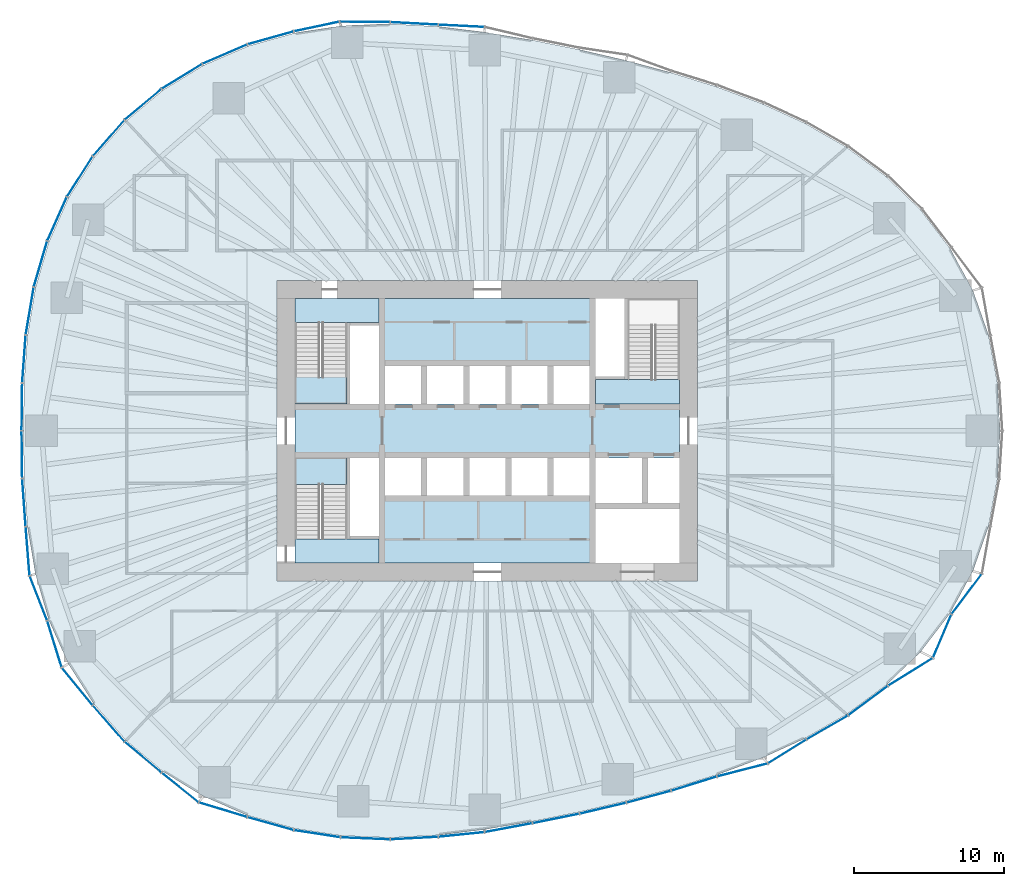
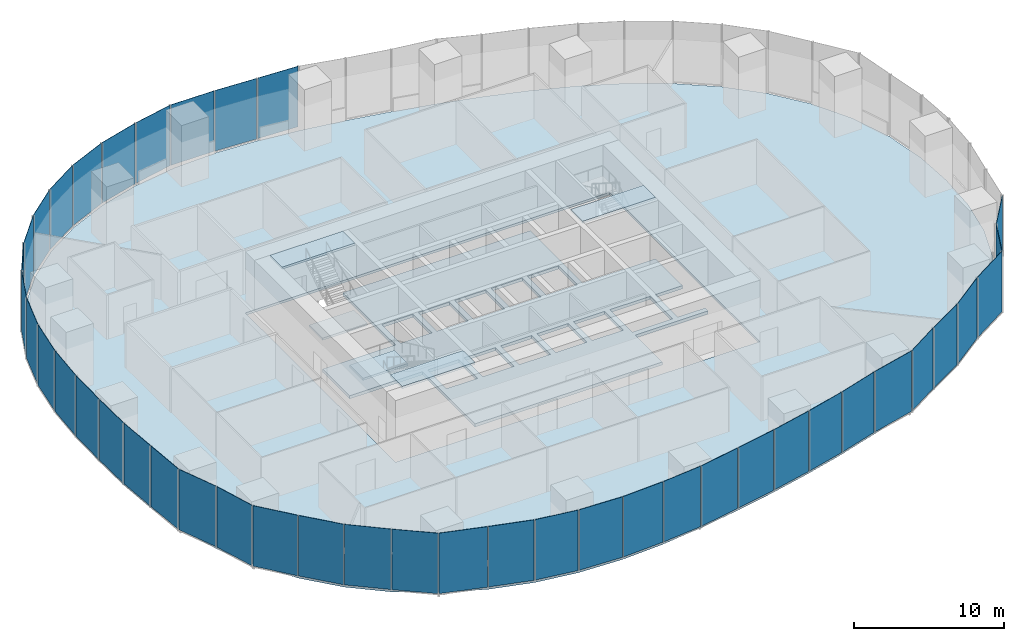
# One storey, part 8 of 20: 42 plates, 7 slabs, 17 elements without a shape of their own.
"""IFC4 building model written with IfcOpenShell, lengths in metres."""

import ifcopenshell
import ifcopenshell.guid

model = None  # the IFC model being written
_history = None  # IfcOwnerHistory: only IFC2X3 demands one
_inside = {}  # id of a spatial element -> (the spatial element, [elements in it])
_under = {}  # id of a project, library or spatial element -> (it, [spatial elements below it])
_declared = {}  # id of a project -> (the project, [libraries it declares])
_typed = {}  # id of a type object -> (the type object, [elements of that type])
_made_of = {}  # id of a material, layer set ... -> (it, [elements and type objects made of it])


def new_model(schema):
    """Start an empty IFC model of exactly this schema.

    Asked for "IFC4X3", IfcOpenShell would pick the latest addendum, in which some entities
    have other attributes; the version numbers below select the first issue.
    IFC2X3 requires an IfcOwnerHistory on every rooted entity: one is made here for all.
    """
    global model, _history
    if schema == "IFC4X3":
        model = ifcopenshell.file(schema_version=(4, 3, 0, 0))
    else:
        model = ifcopenshell.file(schema=schema)
    _inside.clear()
    _under.clear()
    _declared.clear()
    _typed.clear()
    _made_of.clear()
    _history = None
    if model.schema == "IFC2X3":
        org = make("IfcOrganization", Name="unknown")
        user = make(
            "IfcPersonAndOrganization",
            ThePerson=make("IfcPerson", FamilyName="unknown"),
            TheOrganization=org,
        )
        app = make(
            "IfcApplication",
            ApplicationDeveloper=org,
            Version="unknown",
            ApplicationFullName="unknown",
            ApplicationIdentifier="unknown",
        )
        _history = make(
            "IfcOwnerHistory",
            OwningUser=user,
            OwningApplication=app,
            ChangeAction="ADDED",
            CreationDate=0,
        )
    return model


def make(cls, **values):
    """One entity of the class cls with the attributes given. An attribute that is None is left unset."""
    return model.create_entity(
        cls, **{name: value for name, value in values.items() if value is not None}
    )


def rooted(cls, **values):
    """An entity with a GlobalId (a new one), such as an element, a storey or a relation."""
    return make(cls, GlobalId=ifcopenshell.guid.new(), OwnerHistory=_history, **values)


def si_unit(unit_type, name, prefix=None):
    """IfcSIUnit, for example si_unit("LENGTHUNIT", "METRE", prefix="MILLI")."""
    return make("IfcSIUnit", UnitType=unit_type, Prefix=prefix, Name=name)


def assignment(units):
    """IfcUnitAssignment: the units of a project."""
    return None if units is None else make("IfcUnitAssignment", Units=units)


def point(xyz):
    """IfcCartesianPoint."""
    return None if xyz is None else make("IfcCartesianPoint", Coordinates=xyz)


def direction(xyz):
    """IfcDirection."""
    return None if xyz is None else make("IfcDirection", DirectionRatios=xyz)


def frame(location, z_axis=None, x_axis=None):
    """IfcAxis2Placement3D, a coordinate frame: its origin and axes. An axis left out is left unset."""
    return make(
        "IfcAxis2Placement3D",
        Location=point(location),
        Axis=direction(z_axis),
        RefDirection=direction(x_axis),
    )


def frame_2d(location, x_axis=None):
    """IfcAxis2Placement2D, a coordinate frame in the plane: its origin and x axis."""
    return make(
        "IfcAxis2Placement2D", Location=point(location), RefDirection=direction(x_axis)
    )


def origin():
    """The frame at (0, 0, 0) with its axes left unset."""
    return frame((0.0, 0.0, 0.0))


def origin_2d():
    """The frame at (0, 0) in the plane with its x axis left unset."""
    return frame_2d((0.0, 0.0))


def place(relative_to, where):
    """IfcLocalPlacement: puts the frame where relative to a parent placement (None: the world)."""
    return make(
        "IfcLocalPlacement", PlacementRelTo=relative_to, RelativePlacement=where
    )


def context(
    kind, dimensions, precision=None, world=None, true_north=None, identifier=None
):
    """IfcGeometricRepresentationContext, for example the 3D "Model" context."""
    return make(
        "IfcGeometricRepresentationContext",
        ContextIdentifier=identifier,
        ContextType=kind,
        CoordinateSpaceDimension=dimensions,
        Precision=precision,
        WorldCoordinateSystem=world,
        TrueNorth=true_north,
    )


def subcontext(parent, identifier, kind, view, scale=None):
    """IfcGeometricRepresentationSubContext, for example "Body" below "Model"."""
    return make(
        "IfcGeometricRepresentationSubContext",
        ContextIdentifier=identifier,
        ContextType=kind,
        ParentContext=parent,
        TargetScale=scale,
        TargetView=view,
    )


def project(units=None, contexts=None):
    """IfcProject with its units and contexts."""
    return rooted(
        "IfcProject",
        Name="project",
        RepresentationContexts=contexts,
        UnitsInContext=assignment(units),
    )


def spatial(cls, under=None, at=None, **own):
    """A site, building, storey or space (cls), placed at a placement, below another one or the project."""
    s = rooted(cls, ObjectPlacement=at, **own)
    if under is not None:
        _under.setdefault(under.id(), (under, []))[1].append(s)
    return s


def polyline(points):
    """IfcPolyline through the points."""
    return make("IfcPolyline", Points=[point(p) for p in points])


def profile(cls, at=None, kind="AREA", **sizes):
    """A parametric profile (cls). Its sizes go by their IFC names, for example OverallWidth=200.0."""
    return make(cls, ProfileType=kind, Position=at, **sizes)


def rectangle(**sizes):
    """IfcRectangleProfileDef."""
    return profile("IfcRectangleProfileDef", **sizes)


def outline(outer, holes=None, kind="AREA"):
    """IfcArbitraryClosedProfileDef: a profile drawn as a closed curve; with holes, ...WithVoids."""
    if holes is None:
        return make("IfcArbitraryClosedProfileDef", ProfileType=kind, OuterCurve=outer)
    return make(
        "IfcArbitraryProfileDefWithVoids",
        ProfileType=kind,
        OuterCurve=outer,
        InnerCurves=holes,
    )


def extrude(swept, where, along, depth):
    """IfcExtrudedAreaSolid: the profile swept, set in the frame where, extruded along a direction by depth."""
    return make(
        "IfcExtrudedAreaSolid",
        SweptArea=swept,
        Position=where,
        ExtrudedDirection=direction(along),
        Depth=depth,
    )


def shape(context_of_items, identifier, shape_type, items):
    """IfcShapeRepresentation: the items that make up one representation, for example the "Body"."""
    return make(
        "IfcShapeRepresentation",
        ContextOfItems=context_of_items,
        RepresentationIdentifier=identifier,
        RepresentationType=shape_type,
        Items=items,
    )


def material(Name=None, Category=None):
    """IfcMaterial."""
    return make("IfcMaterial", Name=Name, Category=Category)


def layer(
    of_material, thickness, ventilated=None, Name=None, Category=None, Priority=None
):
    """IfcMaterialLayer: one layer of a wall or slab, of a material (None: an air gap)."""
    return make(
        "IfcMaterialLayer",
        Material=of_material,
        LayerThickness=thickness,
        IsVentilated=ventilated,
        Name=Name,
        Category=Category,
        Priority=Priority,
    )


def layer_set(layers, Name=None):
    """IfcMaterialLayerSet."""
    return make("IfcMaterialLayerSet", MaterialLayers=layers, LayerSetName=Name)


def made_of(thing, what):
    """Note that an element or type object is made of a material, layer set ...; save() writes the relation."""
    if what is not None:
        _made_of.setdefault(what.id(), (what, []))[1].append(thing)
    return thing


def type_object(cls, material=None, **own):
    """A type object (cls), such as IfcWallType, which elements share."""
    return made_of(rooted(cls, **own), material)


def element(
    cls,
    number,
    at=None,
    inside=None,
    cuts=None,
    type_object=None,
    material=None,
    context=None,
    identifier="Body",
    shape_type=None,
    held_by="IfcProductDefinitionShape",
    body=None,
    shapes=None,
    **own,
):
    """One element of the class cls, such as IfcWall. Its Tag is "e" and its number.

    at: its placement. inside: the storey or other place that contains it. cuts: it is an
    opening in that element (IfcRelVoidsElement). A single representation is given by context,
    identifier, shape_type and body (its items); several are given by shapes. held_by: the class
    of the entity that holds the representations. save() writes the other relations.
    """
    e = rooted(cls, Tag="e%d" % number, ObjectPlacement=at, **own)
    if body is not None:
        shapes = [shape(context, identifier, shape_type, body)]
    if shapes is not None:
        e.Representation = make(held_by, Representations=shapes)
    if inside is not None:
        _inside.setdefault(inside.id(), (inside, []))[1].append(e)
    if cuts is not None:
        rooted(
            "IfcRelVoidsElement", RelatingBuildingElement=cuts, RelatedOpeningElement=e
        )
    if type_object is not None:
        _typed.setdefault(type_object.id(), (type_object, []))[1].append(e)
    return made_of(e, material)


def aggregate(whole, parts):
    """IfcRelAggregates: a whole, such as a stair, and the parts it consists of."""
    return rooted("IfcRelAggregates", RelatingObject=whole, RelatedObjects=parts)


def save(model, path):
    """Write the relations noted so far, then the file.

    IfcRelAggregates (storeys below a building ...), IfcRelContainedInSpatialStructure (elements
    in a storey), IfcRelDefinesByType, IfcRelAssociatesMaterial and IfcRelDeclares: one each for
    every whole, place, type object, material and project.
    """
    for whole, parts in _under.values():
        aggregate(whole, parts)
    for where, things in _inside.values():
        rooted(
            "IfcRelContainedInSpatialStructure",
            RelatedElements=things,
            RelatingStructure=where,
        )
    for kind, things in _typed.values():
        rooted("IfcRelDefinesByType", RelatedObjects=things, RelatingType=kind)
    for what, things in _made_of.values():
        rooted("IfcRelAssociatesMaterial", RelatedObjects=things, RelatingMaterial=what)
    for by, libraries in _declared.values():
        rooted("IfcRelDeclares", RelatingContext=by, RelatedDefinitions=libraries)
    model.write(path)


model = new_model("IFC4")

# Units and contexts
model_context = context("Model", 3, precision=1e-05, world=origin(), true_north=direction((0.0, 1.0)))
body_context = subcontext(model_context, "Body", "Model", "MODEL_VIEW")
ifc_project = project(units=[si_unit("LENGTHUNIT", "METRE"), si_unit("AREAUNIT", "SQUARE_METRE"), si_unit("VOLUMEUNIT", "CUBIC_METRE"), si_unit("PLANEANGLEUNIT", "RADIAN"), si_unit("MASSUNIT", "GRAM", prefix="KILO")], contexts=[model_context])

# Site, building, storey
site_placement = place(None, origin())
site = spatial("IfcSite", under=ifc_project, at=site_placement, CompositionType="ELEMENT")
building_placement = place(site_placement, origin())
building = spatial("IfcBuilding", under=site, at=building_placement, Name="Ghaith Harvest Tower", CompositionType="ELEMENT")
storey_placement = place(building_placement, frame((0.0, 0.0, 45.0)))
storey = spatial("IfcBuildingStorey", under=building, at=storey_placement, Name="L09", CompositionType="ELEMENT", Elevation=45.0)

# Curtain wall, plates
ifc_material_1 = material(Name="Black anodised aluminium and fritted glass", Category="aluminium")
curtain_wall_type = type_object("IfcCurtainWallType", Name="CW-F CURTAIN WALL", PredefinedType="NOTDEFINED", material=ifc_material_1)
curtain_wall_1_placement = place(storey_placement, origin())
curtain_wall_1 = element("IfcCurtainWall", 1, at=curtain_wall_1_placement, inside=storey, type_object=curtain_wall_type, Name="Curtain wall CW-F bay 06 L09", PredefinedType="NOTDEFINED")
ifc_material_2 = material(Name="Glass, high-transmission fritted double glazed unit", Category="glass")
ifc_layer_1 = layer(ifc_material_2, 0.028076171875)
ifc_layer_set_1 = layer_set([ifc_layer_1], Name="CW-F VISION PANEL")
plate_type = type_object("IfcPlateType", Name="CW-F VISION PANEL", PredefinedType="CURTAIN_PANEL", material=ifc_layer_set_1)
plate_1_placement = place(storey_placement, frame((-1.722900390625, 26.953369140625, 0.080078125), z_axis=(0.0, 0.0, 1.0), x_axis=(-0.998771443485, 0.049554048048, 0.0)))
plate_1 = element("IfcPlate", 2, at=plate_1_placement, type_object=plate_type, Name="CW-F panel 1 bay 06 L09", PredefinedType="CURTAIN_PANEL", context=body_context, shape_type="SweptSolid", body=[
    extrude(rectangle(XDim=3.001708984375, YDim=0.028076171875, at=origin_2d()), origin(), (0.0, 0.0, 1.0), 4.919921875),
])
plate_2_placement = place(storey_placement, frame((-4.863525390625, 27.11572265625, 0.080078125), z_axis=(0.0, 0.0, 1.0), x_axis=(-0.99856250263, 0.053599704667, 0.0)))
plate_2 = element("IfcPlate", 3, at=plate_2_placement, type_object=plate_type, Name="CW-F panel 2 bay 06 L09", PredefinedType="CURTAIN_PANEL", context=body_context, shape_type="SweptSolid", body=[
    extrude(rectangle(XDim=3.1279296875, YDim=0.028076171875, at=origin_2d()), origin(), (0.0, 0.0, 1.0), 4.919921875),
])
plate_3_placement = place(storey_placement, frame((-8.150390625, 27.217041015625, 0.080078125), z_axis=(0.0, 0.0, 1.0), x_axis=(-0.999959609481, 0.008987736446, 0.0)))
plate_3 = element("IfcPlate", 4, at=plate_3_placement, type_object=plate_type, Name="CW-F panel 3 bay 06 L09", PredefinedType="CURTAIN_PANEL", context=body_context, shape_type="SweptSolid", body=[
    extrude(rectangle(XDim=3.29052734375, YDim=0.028076171875, at=origin_2d()), origin(), (0.0, 0.0, 1.0), 4.919921875),
])
aggregate(curtain_wall_1, [plate_1, plate_2, plate_3])

curtain_wall_2_placement = place(storey_placement, origin())
curtain_wall_2 = element("IfcCurtainWall", 5, at=curtain_wall_2_placement, inside=storey, type_object=curtain_wall_type, Name="Curtain wall CW-F bay 07 L09", PredefinedType="NOTDEFINED")
plate_4_placement = place(storey_placement, frame((-11.358154296875, 26.908447265625, 0.080078125), z_axis=(0.0, 0.0, 1.0), x_axis=(-0.978149320779, -0.207903598476, 0.0)))
plate_4 = element("IfcPlate", 6, at=plate_4_placement, type_object=plate_type, Name="CW-F panel 1 bay 07 L09", PredefinedType="CURTAIN_PANEL", context=body_context, shape_type="SweptSolid", body=[
    extrude(rectangle(XDim=3.032958984375, YDim=0.028076171875, at=origin_2d()), origin(), (0.0, 0.0, 1.0), 4.919921875),
])
plate_5_placement = place(storey_placement, frame((-14.42578125, 26.150634765625, 0.080078125), z_axis=(0.0, 0.0, 1.0), x_axis=(-0.96272968243, -0.270465448012, 0.0)))
plate_5 = element("IfcPlate", 7, at=plate_5_placement, type_object=plate_type, Name="CW-F panel 2 bay 07 L09", PredefinedType="CURTAIN_PANEL", context=body_context, shape_type="SweptSolid", body=[
    extrude(rectangle(XDim=3.13037109375, YDim=0.028076171875, at=origin_2d()), origin(), (0.0, 0.0, 1.0), 4.919921875),
])
plate_6_placement = place(storey_placement, frame((-17.46923828125, 25.0693359375, 0.080078125), z_axis=(0.0, 0.0, 1.0), x_axis=(-0.918002845228, -0.396573796605, 0.0)))
plate_6 = element("IfcPlate", 8, at=plate_6_placement, type_object=plate_type, Name="CW-F panel 3 bay 07 L09", PredefinedType="CURTAIN_PANEL", context=body_context, shape_type="SweptSolid", body=[
    extrude(rectangle(XDim=3.18359375, YDim=0.028076171875, at=origin_2d()), origin(), (0.0, 0.0, 1.0), 4.919921875),
])
aggregate(curtain_wall_2, [plate_4, plate_5, plate_6])

curtain_wall_3_placement = place(storey_placement, origin())
curtain_wall_3 = element("IfcCurtainWall", 9, at=curtain_wall_3_placement, inside=storey, type_object=curtain_wall_type, Name="Curtain wall CW-F bay 08 L09", PredefinedType="NOTDEFINED")
plate_7_placement = place(storey_placement, frame((-20.324462890625, 23.590087890625, 0.080078125), z_axis=(0.0, 0.0, 1.0), x_axis=(-0.852527741552, -0.522681977769, 0.0)))
plate_7 = element("IfcPlate", 10, at=plate_7_placement, type_object=plate_type, Name="CW-F panel 1 bay 08 L09", PredefinedType="CURTAIN_PANEL", context=body_context, shape_type="SweptSolid", body=[
    extrude(rectangle(XDim=3.10400390625, YDim=0.028076171875, at=origin_2d()), origin(), (0.0, 0.0, 1.0), 4.919921875),
])
plate_8_placement = place(storey_placement, frame((-22.91064453125, 21.727294921875, 0.080078125), z_axis=(0.0, 0.0, 1.0), x_axis=(-0.766155215147, -0.642655573619, 0.0)))
plate_8 = element("IfcPlate", 11, at=plate_8_placement, type_object=plate_type, Name="CW-F panel 2 bay 08 L09", PredefinedType="CURTAIN_PANEL", context=body_context, shape_type="SweptSolid", body=[
    extrude(rectangle(XDim=3.1279296875, YDim=0.028076171875, at=origin_2d()), origin(), (0.0, 0.0, 1.0), 4.919921875),
])
plate_9_placement = place(storey_placement, frame((-25.201171875, 19.4853515625, 0.080078125), z_axis=(0.0, 0.0, 1.0), x_axis=(-0.659215937547, -0.751953687194, 0.0)))
plate_9 = element("IfcPlate", 12, at=plate_9_placement, type_object=plate_type, Name="CW-F panel 3 bay 08 L09", PredefinedType="CURTAIN_PANEL", context=body_context, shape_type="SweptSolid", body=[
    extrude(rectangle(XDim=3.1416015625, YDim=0.028076171875, at=origin_2d()), origin(), (0.0, 0.0, 1.0), 4.919921875),
])
aggregate(curtain_wall_3, [plate_7, plate_8, plate_9])

curtain_wall_4_placement = place(storey_placement, origin())
curtain_wall_4 = element("IfcCurtainWall", 13, at=curtain_wall_4_placement, inside=storey, type_object=curtain_wall_type, Name="Curtain wall CW-F bay 09 L09", PredefinedType="NOTDEFINED")
plate_10_placement = place(storey_placement, frame((-27.124755859375, 16.919677734375, 0.080078125), z_axis=(0.0, 0.0, 1.0), x_axis=(-0.536779195227, -0.843722759899, 0.0)))
plate_10 = element("IfcPlate", 14, at=plate_10_placement, type_object=plate_type, Name="CW-F panel 1 bay 09 L09", PredefinedType="CURTAIN_PANEL", context=body_context, shape_type="SweptSolid", body=[
    extrude(rectangle(XDim=3.13037109375, YDim=0.028076171875, at=origin_2d()), origin(), (0.0, 0.0, 1.0), 4.919921875),
])
plate_11_placement = place(storey_placement, frame((-28.639404296875, 14.100341796875, 0.080078125), z_axis=(0.0, 0.0, 1.0), x_axis=(-0.407134417018, -0.913368253488, 0.0)))
plate_11 = element("IfcPlate", 15, at=plate_11_placement, type_object=plate_type, Name="CW-F panel 2 bay 09 L09", PredefinedType="CURTAIN_PANEL", context=body_context, shape_type="SweptSolid", body=[
    extrude(rectangle(XDim=3.1279296875, YDim=0.028076171875, at=origin_2d()), origin(), (0.0, 0.0, 1.0), 4.919921875),
])
plate_12_placement = place(storey_placement, frame((-29.740478515625, 11.101318359375, 0.080078125), z_axis=(0.0, 0.0, 1.0), x_axis=(-0.280296918708, -0.959913348882, 0.0)))
plate_12 = element("IfcPlate", 16, at=plate_12_placement, type_object=plate_type, Name="CW-F panel 3 bay 09 L09", PredefinedType="CURTAIN_PANEL", context=body_context, shape_type="SweptSolid", body=[
    extrude(rectangle(XDim=3.1162109375, YDim=0.028076171875, at=origin_2d()), origin(), (0.0, 0.0, 1.0), 4.919921875),
])
aggregate(curtain_wall_4, [plate_10, plate_11, plate_12])

curtain_wall_5_placement = place(storey_placement, origin())
curtain_wall_5 = element("IfcCurtainWall", 17, at=curtain_wall_5_placement, inside=storey, type_object=curtain_wall_type, Name="Curtain wall CW-F bay 10 L09", PredefinedType="NOTDEFINED")
plate_13_placement = place(storey_placement, frame((-30.456298828125, 7.971435546875, 0.080078125), z_axis=(0.0, 0.0, 1.0), x_axis=(-0.165581316368, -0.986196140567, 0.0)))
plate_13 = element("IfcPlate", 18, at=plate_13_placement, type_object=plate_type, Name="CW-F panel 1 bay 10 L09", PredefinedType="CURTAIN_PANEL", context=body_context, shape_type="SweptSolid", body=[
    extrude(rectangle(XDim=3.156494140625, YDim=0.028076171875, at=origin_2d()), origin(), (0.0, 0.0, 1.0), 4.919921875),
])
plate_14_placement = place(storey_placement, frame((-30.84033203125, 4.77685546875, 0.080078125), z_axis=(0.0, 0.0, 1.0), x_axis=(-0.072420546123, -0.997374184797, 0.0)))
plate_14 = element("IfcPlate", 19, at=plate_14_placement, type_object=plate_type, Name="CW-F panel 2 bay 10 L09", PredefinedType="CURTAIN_PANEL", context=body_context, shape_type="SweptSolid", body=[
    extrude(rectangle(XDim=3.1259765625, YDim=0.028076171875, at=origin_2d()), origin(), (0.0, 0.0, 1.0), 4.919921875),
])
plate_15_placement = place(storey_placement, frame((-30.975830078125, 1.589111328125, 0.080078125), z_axis=(0.0, 0.0, 1.0), x_axis=(-0.012133206476, -0.999926389941, 0.0)))
plate_15 = element("IfcPlate", 20, at=plate_15_placement, type_object=plate_type, Name="CW-F panel 3 bay 10 L09", PredefinedType="CURTAIN_PANEL", context=body_context, shape_type="SweptSolid", body=[
    extrude(rectangle(XDim=3.09814453125, YDim=0.028076171875, at=origin_2d()), origin(), (0.0, 0.0, 1.0), 4.919921875),
])
aggregate(curtain_wall_5, [plate_13, plate_14, plate_15])

curtain_wall_6_placement = place(storey_placement, origin())
curtain_wall_6 = element("IfcCurtainWall", 21, at=curtain_wall_6_placement, inside=storey, type_object=curtain_wall_type, Name="Curtain wall CW-F bay 11 L09", PredefinedType="NOTDEFINED")
plate_16_placement = place(storey_placement, frame((-30.975830078125, -1.589111328125, 0.080078125), z_axis=(0.0, 0.0, 1.0), x_axis=(0.012133206773, -0.999926389937, 0.0)))
plate_16 = element("IfcPlate", 22, at=plate_16_placement, type_object=plate_type, Name="CW-F panel 1 bay 11 L09", PredefinedType="CURTAIN_PANEL", context=body_context, shape_type="SweptSolid", body=[
    extrude(rectangle(XDim=3.09814453125, YDim=0.028076171875, at=origin_2d()), origin(), (0.0, 0.0, 1.0), 4.919921875),
])
plate_17_placement = place(storey_placement, frame((-30.84033203125, -4.77685546875, 0.080078125), z_axis=(0.0, 0.0, 1.0), x_axis=(0.072420546349, -0.99737418478, 0.0)))
plate_17 = element("IfcPlate", 23, at=plate_17_placement, type_object=plate_type, Name="CW-F panel 2 bay 11 L09", PredefinedType="CURTAIN_PANEL", context=body_context, shape_type="SweptSolid", body=[
    extrude(rectangle(XDim=3.1259765625, YDim=0.028076171875, at=origin_2d()), origin(), (0.0, 0.0, 1.0), 4.919921875),
])
plate_18_placement = place(storey_placement, frame((-30.594482421875, -8.01513671875, 0.080078125), z_axis=(0.0, 0.0, 1.0), x_axis=(0.078867084181, -0.996885140341, 0.0)))
plate_18 = element("IfcPlate", 24, at=plate_18_placement, type_object=plate_type, Name="CW-F panel 3 bay 11 L09", PredefinedType="CURTAIN_PANEL", context=body_context, shape_type="SweptSolid", body=[
    extrude(rectangle(XDim=3.209716796875, YDim=0.028076171875, at=origin_2d()), origin(), (0.0, 0.0, 1.0), 4.919921875),
])
aggregate(curtain_wall_6, [plate_16, plate_17, plate_18])

curtain_wall_7_placement = place(storey_placement, origin())
curtain_wall_7 = element("IfcCurtainWall", 25, at=curtain_wall_7_placement, inside=storey, type_object=curtain_wall_type, Name="Curtain wall CW-F bay 12 L09", PredefinedType="NOTDEFINED")
plate_19_placement = place(storey_placement, frame((-29.878662109375, -11.14501953125, 0.080078125), z_axis=(0.0, 0.0, 1.0), x_axis=(0.366039738151, -0.930599220983, 0.0)))
plate_19 = element("IfcPlate", 26, at=plate_19_placement, type_object=plate_type, Name="CW-F panel 1 bay 12 L09", PredefinedType="CURTAIN_PANEL", context=body_context, shape_type="SweptSolid", body=[
    extrude(rectangle(XDim=3.122802734375, YDim=0.028076171875, at=origin_2d()), origin(), (0.0, 0.0, 1.0), 4.919921875),
])
plate_20_placement = place(storey_placement, frame((-28.809814453125, -14.195068359375, 0.080078125), z_axis=(0.0, 0.0, 1.0), x_axis=(0.295583054454, -0.95531704576, 0.0)))
plate_20 = element("IfcPlate", 27, at=plate_20_placement, type_object=plate_type, Name="CW-F panel 2 bay 12 L09", PredefinedType="CURTAIN_PANEL", context=body_context, shape_type="SweptSolid", body=[
    extrude(rectangle(XDim=3.185546875, YDim=0.028076171875, at=origin_2d()), origin(), (0.0, 0.0, 1.0), 4.919921875),
])
plate_21_placement = place(storey_placement, frame((-27.295166015625, -17.014404296875, 0.080078125), z_axis=(0.0, 0.0, 1.0), x_axis=(0.633789860881, -0.773505276158, 0.0)))
plate_21 = element("IfcPlate", 28, at=plate_21_placement, type_object=plate_type, Name="CW-F panel 3 bay 12 L09", PredefinedType="CURTAIN_PANEL", context=body_context, shape_type="SweptSolid", body=[
    extrude(rectangle(XDim=3.1767578125, YDim=0.028076171875, at=origin_2d()), origin(), (0.0, 0.0, 1.0), 4.919921875),
])
aggregate(curtain_wall_7, [plate_19, plate_20, plate_21])

curtain_wall_8_placement = place(storey_placement, origin())
curtain_wall_8 = element("IfcCurtainWall", 29, at=curtain_wall_8_placement, inside=storey, type_object=curtain_wall_type, Name="Curtain wall CW-F bay 13 L09", PredefinedType="NOTDEFINED")
plate_22_placement = place(storey_placement, frame((-25.201171875, -19.4853515625, 0.080078125), z_axis=(0.0, 0.0, 1.0), x_axis=(0.659215937337, -0.751953687378, 0.0)))
plate_22 = element("IfcPlate", 30, at=plate_22_placement, type_object=plate_type, Name="CW-F panel 1 bay 13 L09", PredefinedType="CURTAIN_PANEL", context=body_context, shape_type="SweptSolid", body=[
    extrude(rectangle(XDim=3.1416015625, YDim=0.028076171875, at=origin_2d()), origin(), (0.0, 0.0, 1.0), 4.919921875),
])
plate_23_placement = place(storey_placement, frame((-22.91064453125, -21.727294921875, 0.080078125), z_axis=(0.0, 0.0, 1.0), x_axis=(0.76615521545, -0.642655573258, 0.0)))
plate_23 = element("IfcPlate", 31, at=plate_23_placement, type_object=plate_type, Name="CW-F panel 2 bay 13 L09", PredefinedType="CURTAIN_PANEL", context=body_context, shape_type="SweptSolid", body=[
    extrude(rectangle(XDim=3.1279296875, YDim=0.028076171875, at=origin_2d()), origin(), (0.0, 0.0, 1.0), 4.919921875),
])
plate_24_placement = place(storey_placement, frame((-20.447265625, -23.748046875, 0.080078125), z_axis=(0.0, 0.0, 1.0), x_axis=(0.780122054158, -0.625627349639, 0.0)))
plate_24 = element("IfcPlate", 32, at=plate_24_placement, type_object=plate_type, Name="CW-F panel 3 bay 13 L09", PredefinedType="CURTAIN_PANEL", context=body_context, shape_type="SweptSolid", body=[
    extrude(rectangle(XDim=3.085205078125, YDim=0.028076171875, at=origin_2d()), origin(), (0.0, 0.0, 1.0), 4.919921875),
])
aggregate(curtain_wall_8, [plate_22, plate_23, plate_24])

curtain_wall_9_placement = place(storey_placement, origin())
curtain_wall_9 = element("IfcCurtainWall", 33, at=curtain_wall_9_placement, inside=storey, type_object=curtain_wall_type, Name="Curtain wall CW-F bay 14 L09", PredefinedType="NOTDEFINED")
plate_25_placement = place(storey_placement, frame((-17.591796875, -25.227294921875, 0.080078125), z_axis=(0.0, 0.0, 1.0), x_axis=(0.95734234218, -0.288956121011, 0.0)))
plate_25 = element("IfcPlate", 34, at=plate_25_placement, type_object=plate_type, Name="CW-F panel 1 bay 14 L09", PredefinedType="CURTAIN_PANEL", context=body_context, shape_type="SweptSolid", body=[
    extrude(rectangle(XDim=3.3056640625, YDim=0.028076171875, at=origin_2d()), origin(), (0.0, 0.0, 1.0), 4.919921875),
])
plate_26_placement = place(storey_placement, frame((-14.42578125, -26.150634765625, 0.080078125), z_axis=(0.0, 0.0, 1.0), x_axis=(0.962729682704, -0.270465447038, 0.0)))
plate_26 = element("IfcPlate", 35, at=plate_26_placement, type_object=plate_type, Name="CW-F panel 2 bay 14 L09", PredefinedType="CURTAIN_PANEL", context=body_context, shape_type="SweptSolid", body=[
    extrude(rectangle(XDim=3.13037109375, YDim=0.028076171875, at=origin_2d()), origin(), (0.0, 0.0, 1.0), 4.919921875),
])
plate_27_placement = place(storey_placement, frame((-11.327392578125, -26.82373046875, 0.080078125), z_axis=(0.0, 0.0, 1.0), x_axis=(0.98836987371, -0.152069039392, 0.0)))
plate_27 = element("IfcPlate", 36, at=plate_27_placement, type_object=plate_type, Name="CW-F panel 3 bay 14 L09", PredefinedType="CURTAIN_PANEL", context=body_context, shape_type="SweptSolid", body=[
    extrude(rectangle(XDim=3.0625, YDim=0.028076171875, at=origin_2d()), origin(), (0.0, 0.0, 1.0), 4.919921875),
])
aggregate(curtain_wall_9, [plate_25, plate_26, plate_27])

curtain_wall_10_placement = place(storey_placement, origin())
curtain_wall_10 = element("IfcCurtainWall", 37, at=curtain_wall_10_placement, inside=storey, type_object=curtain_wall_type, Name="Curtain wall CW-F bay 15 L09", PredefinedType="NOTDEFINED")
plate_28_placement = place(storey_placement, frame((-8.119873046875, -27.13232421875, 0.080078125), z_axis=(0.0, 0.0, 1.0), x_axis=(0.999118988518, -0.041967210794, 0.0)))
plate_28 = element("IfcPlate", 38, at=plate_28_placement, type_object=plate_type, Name="CW-F panel 1 bay 15 L09", PredefinedType="CURTAIN_PANEL", context=body_context, shape_type="SweptSolid", body=[
    extrude(rectangle(XDim=3.232177734375, YDim=0.028076171875, at=origin_2d()), origin(), (0.0, 0.0, 1.0), 4.919921875),
])
plate_29_placement = place(storey_placement, frame((-4.863525390625, -27.11572265625, 0.080078125), z_axis=(0.0, 0.0, 1.0), x_axis=(0.998562502616, 0.053599704928, 0.0)))
plate_29 = element("IfcPlate", 39, at=plate_29_placement, type_object=plate_type, Name="CW-F panel 2 bay 15 L09", PredefinedType="CURTAIN_PANEL", context=body_context, shape_type="SweptSolid", body=[
    extrude(rectangle(XDim=3.1279296875, YDim=0.028076171875, at=origin_2d()), origin(), (0.0, 0.0, 1.0), 4.919921875),
])
plate_30_placement = place(storey_placement, frame((-1.722412109375, -26.87353515625, 0.080078125), z_axis=(0.0, 0.0, 1.0), x_axis=(0.99488222177, 0.101041401443, 0.0)))
plate_30 = element("IfcPlate", 40, at=plate_30_placement, type_object=plate_type, Name="CW-F panel 3 bay 15 L09", PredefinedType="CURTAIN_PANEL", context=body_context, shape_type="SweptSolid", body=[
    extrude(rectangle(XDim=3.014892578125, YDim=0.028076171875, at=origin_2d()), origin(), (0.0, 0.0, 1.0), 4.919921875),
])
aggregate(curtain_wall_10, [plate_28, plate_29, plate_30])

curtain_wall_11_placement = place(storey_placement, origin())
curtain_wall_11 = element("IfcCurtainWall", 41, at=curtain_wall_11_placement, inside=storey, type_object=curtain_wall_type, Name="Curtain wall CW-F bay 16 L09", PredefinedType="NOTDEFINED")
plate_31_placement = place(storey_placement, frame((1.4130859375, -26.420166015625, 0.080078125), z_axis=(0.0, 0.0, 1.0), x_axis=(0.983131230266, 0.182901569365, 0.0)))
plate_31 = element("IfcPlate", 42, at=plate_31_placement, type_object=plate_type, Name="CW-F panel 1 bay 16 L09", PredefinedType="CURTAIN_PANEL", context=body_context, shape_type="SweptSolid", body=[
    extrude(rectangle(XDim=3.166748046875, YDim=0.028076171875, at=origin_2d()), origin(), (0.0, 0.0, 1.0), 4.919921875),
])
plate_32_placement = place(storey_placement, frame((4.5732421875, -25.809326171875, 0.080078125), z_axis=(0.0, 0.0, 1.0), x_axis=(0.98043234808, 0.196856320293, 0.0)))
plate_32 = element("IfcPlate", 43, at=plate_32_placement, type_object=plate_type, Name="CW-F panel 2 bay 16 L09", PredefinedType="CURTAIN_PANEL", context=body_context, shape_type="SweptSolid", body=[
    extrude(rectangle(XDim=3.1103515625, YDim=0.028076171875, at=origin_2d()), origin(), (0.0, 0.0, 1.0), 4.919921875),
])
plate_33_placement = place(storey_placement, frame((7.697265625, -25.129150390625, 0.080078125), z_axis=(0.0, 0.0, 1.0), x_axis=(0.973564757908, 0.228411169079, 0.0)))
plate_33 = element("IfcPlate", 44, at=plate_33_placement, type_object=plate_type, Name="CW-F panel 3 bay 16 L09", PredefinedType="CURTAIN_PANEL", context=body_context, shape_type="SweptSolid", body=[
    extrude(rectangle(XDim=3.125, YDim=0.028076171875, at=origin_2d()), origin(), (0.0, 0.0, 1.0), 4.919921875),
])
aggregate(curtain_wall_11, [plate_31, plate_32, plate_33])

curtain_wall_12_placement = place(storey_placement, origin())
curtain_wall_12 = element("IfcCurtainWall", 45, at=curtain_wall_12_placement, inside=storey, type_object=curtain_wall_type, Name="Curtain wall CW-F bay 17 L09", PredefinedType="NOTDEFINED")
plate_34_placement = place(storey_placement, frame((10.745849609375, -24.36376953125, 0.080078125), z_axis=(0.0, 0.0, 1.0), x_axis=(0.965848435029, 0.259107700681, 0.0)))
plate_34 = element("IfcPlate", 46, at=plate_34_placement, type_object=plate_type, Name="CW-F panel 1 bay 17 L09", PredefinedType="CURTAIN_PANEL", context=body_context, shape_type="SweptSolid", body=[
    extrude(rectangle(XDim=3.002197265625, YDim=0.028076171875, at=origin_2d()), origin(), (0.0, 0.0, 1.0), 4.919921875),
])
plate_35_placement = place(storey_placement, frame((13.760986328125, -23.490234375, 0.080078125), z_axis=(0.0, 0.0, 1.0), x_axis=(0.954988265447, 0.296643578827, 0.0)))
plate_35 = element("IfcPlate", 47, at=plate_35_placement, type_object=plate_type, Name="CW-F panel 2 bay 17 L09", PredefinedType="CURTAIN_PANEL", context=body_context, shape_type="SweptSolid", body=[
    extrude(rectangle(XDim=3.1171875, YDim=0.028076171875, at=origin_2d()), origin(), (0.0, 0.0, 1.0), 4.919921875),
])
plate_36_placement = place(storey_placement, frame((16.980712890625, -22.580322265625, 0.080078125), z_axis=(0.0, 0.0, 1.0), x_axis=(0.968451429434, 0.249202385275, 0.0)))
plate_36 = element("IfcPlate", 48, at=plate_36_placement, type_object=plate_type, Name="CW-F panel 3 bay 17 L09", PredefinedType="CURTAIN_PANEL", context=body_context, shape_type="SweptSolid", body=[
    extrude(rectangle(XDim=3.416748046875, YDim=0.028076171875, at=origin_2d()), origin(), (0.0, 0.0, 1.0), 4.919921875),
])
aggregate(curtain_wall_12, [plate_34, plate_35, plate_36])

curtain_wall_13_placement = place(storey_placement, origin())
curtain_wall_13 = element("IfcCurtainWall", 49, at=curtain_wall_13_placement, inside=storey, type_object=curtain_wall_type, Name="Curtain wall CW-F bay 18 L09", PredefinedType="NOTDEFINED")
plate_37_placement = place(storey_placement, frame((19.954833984375, -21.348876953125, 0.080078125), z_axis=(0.0, 0.0, 1.0), x_axis=(0.849360700005, 0.527812846837, 0.0)))
plate_37 = element("IfcPlate", 50, at=plate_37_placement, type_object=plate_type, Name="CW-F panel 1 bay 18 L09", PredefinedType="CURTAIN_PANEL", context=body_context, shape_type="SweptSolid", body=[
    extrude(rectangle(XDim=2.935791015625, YDim=0.028076171875, at=origin_2d()), origin(), (0.0, 0.0, 1.0), 4.919921875),
])
plate_38_placement = place(storey_placement, frame((22.626953125, -19.750244140625, 0.080078125), z_axis=(0.0, 0.0, 1.0), x_axis=(0.866159208454, 0.499768171866, 0.0)))
plate_38 = element("IfcPlate", 51, at=plate_38_placement, type_object=plate_type, Name="CW-F panel 2 bay 18 L09", PredefinedType="CURTAIN_PANEL", context=body_context, shape_type="SweptSolid", body=[
    extrude(rectangle(XDim=3.1328125, YDim=0.028076171875, at=origin_2d()), origin(), (0.0, 0.0, 1.0), 4.919921875),
])
plate_39_placement = place(storey_placement, frame((25.34619140625, -17.96142578125, 0.080078125), z_axis=(0.0, 0.0, 1.0), x_axis=(0.802866788713, 0.596158468515, 0.0)))
plate_39 = element("IfcPlate", 52, at=plate_39_placement, type_object=plate_type, Name="CW-F panel 3 bay 18 L09", PredefinedType="CURTAIN_PANEL", context=body_context, shape_type="SweptSolid", body=[
    extrude(rectangle(XDim=3.2275390625, YDim=0.028076171875, at=origin_2d()), origin(), (0.0, 0.0, 1.0), 4.919921875),
])
aggregate(curtain_wall_13, [plate_37, plate_38, plate_39])

curtain_wall_14_placement = place(storey_placement, origin())
curtain_wall_14 = element("IfcCurtainWall", 53, at=curtain_wall_14_placement, inside=storey, type_object=curtain_wall_type, Name="Curtain wall CW-F bay 19 L09", PredefinedType="NOTDEFINED")
plate_40_placement = place(storey_placement, frame((28.166748046875, -16.05126953125, 0.080078125), z_axis=(0.0, 0.0, 1.0), x_axis=(0.850245604669, 0.526386181184, 0.0)))
plate_40 = element("IfcPlate", 54, at=plate_40_placement, type_object=plate_type, Name="CW-F panel 1 bay 19 L09", PredefinedType="CURTAIN_PANEL", context=body_context, shape_type="SweptSolid", body=[
    extrude(rectangle(XDim=3.431884765625, YDim=0.028076171875, at=origin_2d()), origin(), (0.0, 0.0, 1.0), 4.919921875),
])
plate_41_placement = place(storey_placement, frame((30.2783203125, -13.6708984375, 0.080078125), z_axis=(0.0, 0.0, 1.0), x_axis=(0.390980294296, 0.920399049039, 0.0)))
plate_41 = element("IfcPlate", 55, at=plate_41_placement, type_object=plate_type, Name="CW-F panel 2 bay 19 L09", PredefinedType="CURTAIN_PANEL", context=body_context, shape_type="SweptSolid", body=[
    extrude(rectangle(XDim=3.083740234375, YDim=0.028076171875, at=origin_2d()), origin(), (0.0, 0.0, 1.0), 4.919921875),
])
plate_42_placement = place(storey_placement, frame((31.91015625, -10.865234375, 0.080078125), z_axis=(0.0, 0.0, 1.0), x_axis=(0.600454091429, 0.799659229976, 0.0)))
plate_42 = element("IfcPlate", 56, at=plate_42_placement, type_object=plate_type, Name="CW-F panel 3 bay 19 L09", PredefinedType="CURTAIN_PANEL", context=body_context, shape_type="SweptSolid", body=[
    extrude(rectangle(XDim=3.295654296875, YDim=0.028076171875, at=origin_2d()), origin(), (0.0, 0.0, 1.0), 4.919921875),
])
aggregate(curtain_wall_14, [plate_40, plate_41, plate_42])

# Slabs
ifc_material_3 = material(Name="Concrete C40/50", Category="concrete")
ifc_layer_2 = layer(ifc_material_3, 0.199951171875)
ifc_layer_set_2 = layer_set([ifc_layer_2], Name="FLOOR SLAB 200")
slab_type_1 = type_object("IfcSlabType", Name="FLOOR SLAB 200", PredefinedType="FLOOR", material=ifc_layer_set_2)
slab_1_placement = place(storey_placement, frame((0.0, 0.0, -0.199951171875)))
element("IfcSlab", 57, at=slab_1_placement, inside=storey, type_object=slab_type_1, Name="Floor slab L09", PredefinedType="FLOOR", context=body_context, shape_type="SweptSolid", body=[
    extrude(outline(polyline([(34.125, 0.0), (33.95849609375, 3.194091796875), (33.37158203125, 6.333984375), (32.318359375, 9.3408203125), (30.78515625, 12.1708984375), (28.840087890625, 14.708984375), (26.572509765625, 16.9111328125), (23.92431640625, 18.873046875), (21.149169921875, 20.469482421875), (18.34521484375, 21.7548828125), (15.22119140625, 22.916259765625), (12.1796875, 23.857666015625), (9.21533203125, 24.65087890625), (6.10888671875, 25.378662109375), (2.99560546875, 26.004150390625), (-0.181396484375, 26.527099609375), (-3.24755859375, 26.91064453125), (-6.4375, 27.0849609375), (-9.733642578125, 26.949951171875), (-12.828125, 26.476806640625), (-15.907958984375, 25.614501953125), (-18.8935546875, 24.32763671875), (-21.59912109375, 22.671142578125), (-24.04833984375, 20.618408203125), (-26.16455078125, 18.20556640625), (-27.881591796875, 15.507080078125), (-29.182373046875, 12.587890625), (-30.073974609375, 9.531005859375), (-30.606689453125, 6.35107421875), (-30.837158203125, 3.165771484375), (-30.875, 0.0), (-30.837158203125, -3.165771484375), (-30.606689453125, -6.35107421875), (-30.073974609375, -9.531005859375), (-29.182373046875, -12.587890625), (-27.881591796875, -15.507080078125), (-26.16455078125, -18.20556640625), (-24.04833984375, -20.618408203125), (-21.59912109375, -22.671142578125), (-18.8935546875, -24.32763671875), (-15.907958984375, -25.614501953125), (-12.828125, -26.476806640625), (-9.733642578125, -26.949951171875), (-6.4375, -27.0849609375), (-3.24755859375, -26.91064453125), (-0.181396484375, -26.527099609375), (2.99560546875, -26.004150390625), (6.10888671875, -25.378662109375), (9.21533203125, -24.65087890625), (12.1796875, -23.857666015625), (15.22119140625, -22.916259765625), (18.34521484375, -21.7548828125), (21.149169921875, -20.469482421875), (23.92431640625, -18.873046875), (26.572509765625, -16.9111328125), (28.840087890625, -14.708984375), (30.78515625, -12.1708984375), (32.318359375, -9.3408203125), (33.37158203125, -6.333984375), (33.95849609375, -3.194091796875), (34.125, 0.0)]), holes=[polyline([(-14.0, -10.0), (14.0, -10.0), (14.0, 10.0), (-14.0, 10.0), (-14.0, -10.0)])]), origin(), (0.0, 0.0, 1.0), 0.199951171875),
])
ifc_material_4 = material(Name="Concrete C40/50", Category="concrete")
ifc_layer_3 = layer(ifc_material_4, 0.25)
ifc_layer_set_3 = layer_set([ifc_layer_3], Name="FLOOR SLAB 250")
slab_type_2 = type_object("IfcSlabType", Name="FLOOR SLAB 250", PredefinedType="FLOOR", material=ifc_layer_set_3)
slab_2_placement = place(storey_placement, frame((0.0, 0.0, -0.25)))
element("IfcSlab", 58, at=slab_2_placement, inside=storey, type_object=slab_type_2, Name="Core slab L09", PredefinedType="FLOOR", context=body_context, shape_type="SweptSolid", body=[
    extrude(outline(polyline([(-12.800048828125, 1.800048828125), (-7.199951171875, 1.800048828125), (-7.199951171875, 8.800048828125), (7.199951171875, 8.800048828125), (7.199951171875, 1.800048828125), (12.800048828125, 1.800048828125), (12.800048828125, -1.800048828125), (10.699951171875, -1.800048828125), (10.699951171875, -4.800048828125), (12.800048828125, -4.800048828125), (12.800048828125, -5.199951171875), (7.199951171875, -5.199951171875), (7.199951171875, -8.800048828125), (-7.199951171875, -8.800048828125), (-7.199951171875, -1.800048828125), (-12.800048828125, -1.800048828125), (-12.800048828125, 1.800048828125)]), holes=[polyline([(-4.39990234375, -4.300048828125), (-4.39990234375, -1.800048828125), (-6.800048828125, -1.800048828125), (-6.800048828125, -4.300048828125), (-4.39990234375, -4.300048828125)]), polyline([(-1.60009765625, -4.300048828125), (-1.60009765625, -1.800048828125), (-4.0, -1.800048828125), (-4.0, -4.300048828125), (-1.60009765625, -4.300048828125)]), polyline([(1.199951171875, -4.300048828125), (1.199951171875, -1.800048828125), (-1.199951171875, -1.800048828125), (-1.199951171875, -4.300048828125), (1.199951171875, -4.300048828125)]), polyline([(-4.39990234375, 1.800048828125), (-4.39990234375, 4.300048828125), (-6.800048828125, 4.300048828125), (-6.800048828125, 1.800048828125), (-4.39990234375, 1.800048828125)]), polyline([(-1.60009765625, 1.800048828125), (-1.60009765625, 4.300048828125), (-4.0, 4.300048828125), (-4.0, 1.800048828125), (-1.60009765625, 1.800048828125)]), polyline([(1.199951171875, 1.800048828125), (1.199951171875, 4.300048828125), (-1.199951171875, 4.300048828125), (-1.199951171875, 1.800048828125), (1.199951171875, 1.800048828125)]), polyline([(10.300048828125, -4.800048828125), (10.300048828125, -1.800048828125), (7.199951171875, -1.800048828125), (7.199951171875, -4.800048828125), (10.300048828125, -4.800048828125)]), polyline([(4.0, -4.300048828125), (4.0, -1.800048828125), (1.60009765625, -1.800048828125), (1.60009765625, -4.300048828125), (4.0, -4.300048828125)]), polyline([(6.800048828125, -4.300048828125), (6.800048828125, -1.800048828125), (4.39990234375, -1.800048828125), (4.39990234375, -4.300048828125), (6.800048828125, -4.300048828125)]), polyline([(4.0, 1.800048828125), (4.0, 4.300048828125), (1.60009765625, 4.300048828125), (1.60009765625, 1.800048828125), (4.0, 1.800048828125)]), polyline([(6.800048828125, 1.800048828125), (6.800048828125, 4.300048828125), (4.39990234375, 4.300048828125), (4.39990234375, 1.800048828125), (6.800048828125, 1.800048828125)])]), origin(), (0.0, 0.0, 1.0), 0.25),
])

# Stair, slabs
ifc_material_5 = material(Name="Concrete C40/50, precast", Category="concrete")
stair_type = type_object("IfcStairType", Name="CORE STAIR 28R", PredefinedType="HALF_TURN_STAIR", material=ifc_material_5)
stair_1_placement = place(storey_placement, origin())
stair_1 = element("IfcStair", 59, at=stair_1_placement, inside=storey, type_object=stair_type, Name="Stair ST1 L09", PredefinedType="HALF_TURN_STAIR")
ifc_material_6 = material(Name="Concrete C40/50, precast", Category="concrete")
ifc_layer_4 = layer(ifc_material_6, 0.179931640625)
ifc_layer_set_4 = layer_set([ifc_layer_4], Name="STAIR LANDING 180")
slab_type_3 = type_object("IfcSlabType", Name="STAIR LANDING 180", PredefinedType="LANDING", material=ifc_layer_set_4)
slab_3_placement = place(storey_placement, frame((0.0, 0.0, 2.320068359375)))
slab_3 = element("IfcSlab", 60, at=slab_3_placement, type_object=slab_type_3, Name="ST1 landing 1", PredefinedType="LANDING", context=body_context, shape_type="SweptSolid", body=[
    extrude(outline(polyline([(-12.800048828125, 3.580078125), (-12.800048828125, 1.800048828125), (-9.35009765625, 1.800048828125), (-9.35009765625, 3.580078125), (-12.800048828125, 3.580078125)])), origin(), (0.0, 0.0, 1.0), 0.179931640625),
])
slab_4_placement = place(storey_placement, frame((0.0, 0.0, 4.820068359375)))
slab_4 = element("IfcSlab", 61, at=slab_4_placement, type_object=slab_type_3, Name="ST1 landing 2", PredefinedType="LANDING", context=body_context, shape_type="SweptSolid", body=[
    extrude(outline(polyline([(-12.800048828125, 8.800048828125), (-12.800048828125, 7.199951171875), (-7.199951171875, 7.199951171875), (-7.199951171875, 8.800048828125), (-12.800048828125, 8.800048828125)])), origin(), (0.0, 0.0, 1.0), 0.179931640625),
])
aggregate(stair_1, [slab_3, slab_4])

stair_2_placement = place(storey_placement, origin())
stair_2 = element("IfcStair", 62, at=stair_2_placement, inside=storey, type_object=stair_type, Name="Stair ST3 L09", PredefinedType="HALF_TURN_STAIR")
slab_5_placement = place(storey_placement, frame((0.0, 0.0, 2.320068359375)))
slab_5 = element("IfcSlab", 63, at=slab_5_placement, type_object=slab_type_3, Name="ST3 landing 1", PredefinedType="LANDING", context=body_context, shape_type="SweptSolid", body=[
    extrude(outline(polyline([(-12.800048828125, -3.580078125), (-12.800048828125, -1.800048828125), (-9.35009765625, -1.800048828125), (-9.35009765625, -3.580078125), (-12.800048828125, -3.580078125)])), origin(), (0.0, 0.0, 1.0), 0.179931640625),
])
slab_6_placement = place(storey_placement, frame((0.0, 0.0, 4.820068359375)))
slab_6 = element("IfcSlab", 64, at=slab_6_placement, type_object=slab_type_3, Name="ST3 landing 2", PredefinedType="LANDING", context=body_context, shape_type="SweptSolid", body=[
    extrude(outline(polyline([(-12.800048828125, -8.800048828125), (-12.800048828125, -7.199951171875), (-7.199951171875, -7.199951171875), (-7.199951171875, -8.800048828125), (-12.800048828125, -8.800048828125)])), origin(), (0.0, 0.0, 1.0), 0.179931640625),
])
aggregate(stair_2, [slab_5, slab_6])

# Stair, slab
stair_3_placement = place(storey_placement, origin())
stair_3 = element("IfcStair", 65, at=stair_3_placement, inside=storey, type_object=stair_type, Name="Stair ST2 L09", PredefinedType="HALF_TURN_STAIR")
slab_7_placement = place(storey_placement, frame((0.0, 0.0, 4.820068359375)))
slab_7 = element("IfcSlab", 66, at=slab_7_placement, type_object=slab_type_3, Name="ST2 landing 2", PredefinedType="LANDING", context=body_context, shape_type="SweptSolid", body=[
    extrude(outline(polyline([(12.800048828125, 1.800048828125), (12.800048828125, 3.39990234375), (7.199951171875, 3.39990234375), (7.199951171875, 1.800048828125), (12.800048828125, 1.800048828125)])), origin(), (0.0, 0.0, 1.0), 0.179931640625),
])
aggregate(stair_3, [slab_7])

save(model, "model.ifc")
